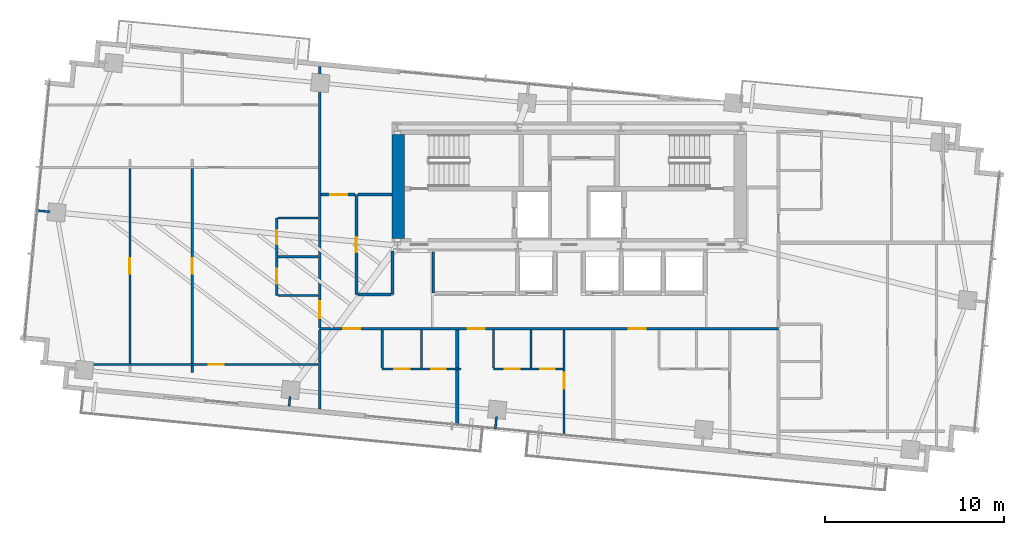
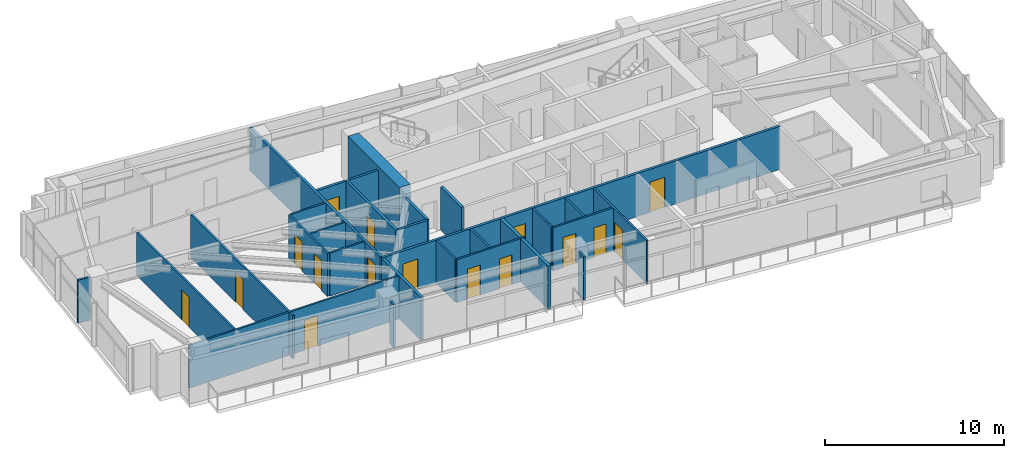
# One storey, part 14 of 19: 30 walls, 16 doors, 16 openings.
"""IFC4 building model written with IfcOpenShell, lengths in metres."""

import ifcopenshell
import ifcopenshell.guid

model = None  # the IFC model being written
_history = None  # IfcOwnerHistory: only IFC2X3 demands one
_inside = {}  # id of a spatial element -> (the spatial element, [elements in it])
_under = {}  # id of a project, library or spatial element -> (it, [spatial elements below it])
_declared = {}  # id of a project -> (the project, [libraries it declares])
_typed = {}  # id of a type object -> (the type object, [elements of that type])
_made_of = {}  # id of a material, layer set ... -> (it, [elements and type objects made of it])


def new_model(schema):
    """Start an empty IFC model of exactly this schema.

    Asked for "IFC4X3", IfcOpenShell would pick the latest addendum, in which some entities
    have other attributes; the version numbers below select the first issue.
    IFC2X3 requires an IfcOwnerHistory on every rooted entity: one is made here for all.
    """
    global model, _history
    if schema == "IFC4X3":
        model = ifcopenshell.file(schema_version=(4, 3, 0, 0))
    else:
        model = ifcopenshell.file(schema=schema)
    _inside.clear()
    _under.clear()
    _declared.clear()
    _typed.clear()
    _made_of.clear()
    _history = None
    if model.schema == "IFC2X3":
        org = make("IfcOrganization", Name="unknown")
        user = make(
            "IfcPersonAndOrganization",
            ThePerson=make("IfcPerson", FamilyName="unknown"),
            TheOrganization=org,
        )
        app = make(
            "IfcApplication",
            ApplicationDeveloper=org,
            Version="unknown",
            ApplicationFullName="unknown",
            ApplicationIdentifier="unknown",
        )
        _history = make(
            "IfcOwnerHistory",
            OwningUser=user,
            OwningApplication=app,
            ChangeAction="ADDED",
            CreationDate=0,
        )
    return model


def make(cls, **values):
    """One entity of the class cls with the attributes given. An attribute that is None is left unset."""
    return model.create_entity(
        cls, **{name: value for name, value in values.items() if value is not None}
    )


def rooted(cls, **values):
    """An entity with a GlobalId (a new one), such as an element, a storey or a relation."""
    return make(cls, GlobalId=ifcopenshell.guid.new(), OwnerHistory=_history, **values)


def si_unit(unit_type, name, prefix=None):
    """IfcSIUnit, for example si_unit("LENGTHUNIT", "METRE", prefix="MILLI")."""
    return make("IfcSIUnit", UnitType=unit_type, Prefix=prefix, Name=name)


def assignment(units):
    """IfcUnitAssignment: the units of a project."""
    return None if units is None else make("IfcUnitAssignment", Units=units)


def point(xyz):
    """IfcCartesianPoint."""
    return None if xyz is None else make("IfcCartesianPoint", Coordinates=xyz)


def direction(xyz):
    """IfcDirection."""
    return None if xyz is None else make("IfcDirection", DirectionRatios=xyz)


def frame(location, z_axis=None, x_axis=None):
    """IfcAxis2Placement3D, a coordinate frame: its origin and axes. An axis left out is left unset."""
    return make(
        "IfcAxis2Placement3D",
        Location=point(location),
        Axis=direction(z_axis),
        RefDirection=direction(x_axis),
    )


def frame_2d(location, x_axis=None):
    """IfcAxis2Placement2D, a coordinate frame in the plane: its origin and x axis."""
    return make(
        "IfcAxis2Placement2D", Location=point(location), RefDirection=direction(x_axis)
    )


def origin():
    """The frame at (0, 0, 0) with its axes left unset."""
    return frame((0.0, 0.0, 0.0))


def place(relative_to, where):
    """IfcLocalPlacement: puts the frame where relative to a parent placement (None: the world)."""
    return make(
        "IfcLocalPlacement", PlacementRelTo=relative_to, RelativePlacement=where
    )


def context(
    kind, dimensions, precision=None, world=None, true_north=None, identifier=None
):
    """IfcGeometricRepresentationContext, for example the 3D "Model" context."""
    return make(
        "IfcGeometricRepresentationContext",
        ContextIdentifier=identifier,
        ContextType=kind,
        CoordinateSpaceDimension=dimensions,
        Precision=precision,
        WorldCoordinateSystem=world,
        TrueNorth=true_north,
    )


def subcontext(parent, identifier, kind, view, scale=None):
    """IfcGeometricRepresentationSubContext, for example "Body" below "Model"."""
    return make(
        "IfcGeometricRepresentationSubContext",
        ContextIdentifier=identifier,
        ContextType=kind,
        ParentContext=parent,
        TargetScale=scale,
        TargetView=view,
    )


def project(units=None, contexts=None):
    """IfcProject with its units and contexts."""
    return rooted(
        "IfcProject",
        Name="project",
        RepresentationContexts=contexts,
        UnitsInContext=assignment(units),
    )


def spatial(cls, under=None, at=None, **own):
    """A site, building, storey or space (cls), placed at a placement, below another one or the project."""
    s = rooted(cls, ObjectPlacement=at, **own)
    if under is not None:
        _under.setdefault(under.id(), (under, []))[1].append(s)
    return s


def profile(cls, at=None, kind="AREA", **sizes):
    """A parametric profile (cls). Its sizes go by their IFC names, for example OverallWidth=200.0."""
    return make(cls, ProfileType=kind, Position=at, **sizes)


def rectangle(**sizes):
    """IfcRectangleProfileDef."""
    return profile("IfcRectangleProfileDef", **sizes)


def extrude(swept, where, along, depth):
    """IfcExtrudedAreaSolid: the profile swept, set in the frame where, extruded along a direction by depth."""
    return make(
        "IfcExtrudedAreaSolid",
        SweptArea=swept,
        Position=where,
        ExtrudedDirection=direction(along),
        Depth=depth,
    )


def shape(context_of_items, identifier, shape_type, items):
    """IfcShapeRepresentation: the items that make up one representation, for example the "Body"."""
    return make(
        "IfcShapeRepresentation",
        ContextOfItems=context_of_items,
        RepresentationIdentifier=identifier,
        RepresentationType=shape_type,
        Items=items,
    )


def source(mapping_origin, context_of_items, identifier, shape_type, items):
    """IfcRepresentationMap: a shape defined once, which mapped items show again and again."""
    return make(
        "IfcRepresentationMap",
        MappingOrigin=mapping_origin,
        MappedRepresentation=shape(context_of_items, identifier, shape_type, items),
    )


def transform(
    local_origin,
    x_axis=None,
    y_axis=None,
    z_axis=None,
    scale=None,
    scale2=None,
    scale3=None,
    uniform=True,
):
    """IfcCartesianTransformationOperator3D, or its non-uniform kind. x_axis, y_axis, z_axis: its Axis1, 2, 3."""
    if uniform:
        return make(
            "IfcCartesianTransformationOperator3D",
            Axis1=direction(x_axis),
            Axis2=direction(y_axis),
            LocalOrigin=point(local_origin),
            Scale=scale,
            Axis3=direction(z_axis),
        )
    return make(
        "IfcCartesianTransformationOperator3DnonUniform",
        Axis1=direction(x_axis),
        Axis2=direction(y_axis),
        LocalOrigin=point(local_origin),
        Scale=scale,
        Axis3=direction(z_axis),
        Scale2=scale2,
        Scale3=scale3,
    )


def mapped(mapping_source, mapping_target):
    """IfcMappedItem: shows the shape of a source again, moved by a transform."""
    return make(
        "IfcMappedItem", MappingSource=mapping_source, MappingTarget=mapping_target
    )


def material(Name=None, Category=None):
    """IfcMaterial."""
    return make("IfcMaterial", Name=Name, Category=Category)


def layer(
    of_material, thickness, ventilated=None, Name=None, Category=None, Priority=None
):
    """IfcMaterialLayer: one layer of a wall or slab, of a material (None: an air gap)."""
    return make(
        "IfcMaterialLayer",
        Material=of_material,
        LayerThickness=thickness,
        IsVentilated=ventilated,
        Name=Name,
        Category=Category,
        Priority=Priority,
    )


def layer_set(layers, Name=None):
    """IfcMaterialLayerSet."""
    return make("IfcMaterialLayerSet", MaterialLayers=layers, LayerSetName=Name)


def made_of(thing, what):
    """Note that an element or type object is made of a material, layer set ...; save() writes the relation."""
    if what is not None:
        _made_of.setdefault(what.id(), (what, []))[1].append(thing)
    return thing


def type_object(cls, material=None, **own):
    """A type object (cls), such as IfcWallType, which elements share."""
    return made_of(rooted(cls, **own), material)


def type_shapes(of_type, sources):
    """Give a type object the sources (RepresentationMaps) that its elements show as mapped items."""
    of_type.RepresentationMaps = sources


def element(
    cls,
    number,
    at=None,
    inside=None,
    cuts=None,
    type_object=None,
    material=None,
    context=None,
    identifier="Body",
    shape_type=None,
    held_by="IfcProductDefinitionShape",
    body=None,
    shapes=None,
    **own,
):
    """One element of the class cls, such as IfcWall. Its Tag is "e" and its number.

    at: its placement. inside: the storey or other place that contains it. cuts: it is an
    opening in that element (IfcRelVoidsElement). A single representation is given by context,
    identifier, shape_type and body (its items); several are given by shapes. held_by: the class
    of the entity that holds the representations. save() writes the other relations.
    """
    e = rooted(cls, Tag="e%d" % number, ObjectPlacement=at, **own)
    if body is not None:
        shapes = [shape(context, identifier, shape_type, body)]
    if shapes is not None:
        e.Representation = make(held_by, Representations=shapes)
    if inside is not None:
        _inside.setdefault(inside.id(), (inside, []))[1].append(e)
    if cuts is not None:
        rooted(
            "IfcRelVoidsElement", RelatingBuildingElement=cuts, RelatedOpeningElement=e
        )
    if type_object is not None:
        _typed.setdefault(type_object.id(), (type_object, []))[1].append(e)
    return made_of(e, material)


def fill(opening, filler):
    """IfcRelFillsElement: the door or window that sits in an opening."""
    return rooted(
        "IfcRelFillsElement",
        RelatingOpeningElement=opening,
        RelatedBuildingElement=filler,
    )


def aggregate(whole, parts):
    """IfcRelAggregates: a whole, such as a stair, and the parts it consists of."""
    return rooted("IfcRelAggregates", RelatingObject=whole, RelatedObjects=parts)


def save(model, path):
    """Write the relations noted so far, then the file.

    IfcRelAggregates (storeys below a building ...), IfcRelContainedInSpatialStructure (elements
    in a storey), IfcRelDefinesByType, IfcRelAssociatesMaterial and IfcRelDeclares: one each for
    every whole, place, type object, material and project.
    """
    for whole, parts in _under.values():
        aggregate(whole, parts)
    for where, things in _inside.values():
        rooted(
            "IfcRelContainedInSpatialStructure",
            RelatedElements=things,
            RelatingStructure=where,
        )
    for kind, things in _typed.values():
        rooted("IfcRelDefinesByType", RelatedObjects=things, RelatingType=kind)
    for what, things in _made_of.values():
        rooted("IfcRelAssociatesMaterial", RelatedObjects=things, RelatingMaterial=what)
    for by, libraries in _declared.values():
        rooted("IfcRelDeclares", RelatingContext=by, RelatedDefinitions=libraries)
    model.write(path)


model = new_model("IFC4")

# Units and contexts
model_context = context("Model", 3, precision=1e-05, world=origin(), true_north=direction((0.0, 1.0)))
body_context = subcontext(model_context, "Body", "Model", "MODEL_VIEW")
ifc_project = project(units=[si_unit("LENGTHUNIT", "METRE"), si_unit("AREAUNIT", "SQUARE_METRE"), si_unit("VOLUMEUNIT", "CUBIC_METRE"), si_unit("PLANEANGLEUNIT", "RADIAN"), si_unit("MASSUNIT", "GRAM", prefix="KILO")], contexts=[model_context])

# Site, building, storey
site_placement = place(None, origin())
site = spatial("IfcSite", under=ifc_project, at=site_placement, CompositionType="ELEMENT")
building_placement = place(site_placement, origin())
building = spatial("IfcBuilding", under=site, at=building_placement, Name="Astriad Promenade Condominiums", CompositionType="ELEMENT")
storey_placement = place(building_placement, frame((0.0, 0.0, 143.800048828125)))
storey = spatial("IfcBuildingStorey", under=building, at=storey_placement, Name="L41", CompositionType="ELEMENT", Elevation=143.800048828125)

# Walls
ifc_material_1 = material(Name="Concrete C60/75", Category="concrete")
ifc_layer_1 = layer(ifc_material_1, 0.699951171875)
ifc_layer_set_1 = layer_set([ifc_layer_1], Name="Concrete C60/75")
wall_type_1 = type_object("IfcWallType", Name="CW-SHEAR-700", PredefinedType="SHEAR", material=ifc_layer_set_1)
wall_1_placement = place(storey_placement, frame((26.449951171875, 17.802001953125, 0.0), z_axis=(0.0, 0.0, 1.0), x_axis=(0.0, 1.0, 0.0)))
element("IfcWall", 1, at=wall_1_placement, inside=storey, type_object=wall_type_1, Name="CW-CORE-W-L41", PredefinedType="SHEAR", context=body_context, shape_type="SweptSolid", body=[
    extrude(rectangle(XDim=5.7958984375, YDim=0.699951171875, at=frame_2d((2.89794921875, 0.0))), origin(), (0.0, 0.0, 1.0), 3.199951171875),
])
ifc_material_2 = material(Name="Fire-Rated Gypsum Partition")
ifc_layer_2 = layer(ifc_material_2, 0.159912109375)
ifc_layer_set_2 = layer_set([ifc_layer_2], Name="Fire-Rated Gypsum Partition")
wall_type_2 = type_object("IfcWallType", Name="WALL-CORR-160", PredefinedType="PARTITIONING", material=ifc_layer_set_2)
wall_2_placement = place(storey_placement, frame((28.39990234375, 14.75, 0.0), z_axis=(0.0, 0.0, 1.0), x_axis=(0.0, 1.0, 0.0)))
element("IfcWall", 2, at=wall_2_placement, inside=storey, type_object=wall_type_2, Name="REC-L-W-L41", PredefinedType="PARTITIONING", context=body_context, shape_type="SweptSolid", body=[
    extrude(rectangle(XDim=2.300048828125, YDim=0.159912109375, at=frame_2d((1.14990234375, 0.0))), origin(), (0.0, 0.0, 1.0), 2.93994140625),
])

# Wall, openings, doors
wall_3_placement = place(storey_placement, frame((22.050048828125, 12.75, 0.0), z_axis=(0.0, 0.0, 1.0), x_axis=(1.0, 0.0, 0.0)))
wall_3 = element("IfcWall", 3, at=wall_3_placement, inside=storey, type_object=wall_type_2, Name="PT-COR-S-L41", PredefinedType="PARTITIONING", context=body_context, shape_type="SweptSolid", body=[
    extrude(rectangle(XDim=25.64990234375, YDim=0.159912109375, at=frame_2d((12.824951171875, 0.0))), origin(), (0.0, 0.0, 1.0), 2.93994140625),
])
opening_1_placement = place(wall_3_placement, frame((1.31201171875, 0.0, 0.0)))
opening_1 = element("IfcOpeningElement", 4, at=opening_1_placement, cuts=wall_3, Name="Opening FD60-APT-095", PredefinedType="OPENING", context=body_context, shape_type="SweptSolid", body=[
    extrude(rectangle(XDim=0.949951171875, YDim=2.06005859375, at=frame_2d((0.47509765625, 1.030029296875))), frame((0.0, 0.08984375, 0.0), z_axis=(0.0, -1.0, 0.0), x_axis=(1.0, 0.0, 0.0)), (0.0, 0.0, 1.0), 0.179931640625),
])
opening_2_placement = place(wall_3_placement, frame((8.281005859375, 0.0, 0.0)))
opening_2 = element("IfcOpeningElement", 5, at=opening_2_placement, cuts=wall_3, Name="Opening FD60-APT-095", PredefinedType="OPENING", context=body_context, shape_type="SweptSolid", body=[
    extrude(rectangle(XDim=0.949951171875, YDim=2.06005859375, at=frame_2d((0.47509765625, 1.030029296875))), frame((0.0, 0.08984375, 0.0), z_axis=(0.0, -1.0, 0.0), x_axis=(1.0, 0.0, 0.0)), (0.0, 0.0, 1.0), 0.179931640625),
])
opening_3_placement = place(wall_3_placement, frame((17.26806640625, 0.0, 0.0)))
opening_3 = element("IfcOpeningElement", 6, at=opening_3_placement, cuts=wall_3, Name="Opening FD60-APT-095", PredefinedType="OPENING", context=body_context, shape_type="SweptSolid", body=[
    extrude(rectangle(XDim=0.949951171875, YDim=2.06005859375, at=frame_2d((0.47509765625, 1.030029296875))), frame((0.0, 0.08984375, 0.0), z_axis=(0.0, -1.0, 0.0), x_axis=(1.0, 0.0, 0.0)), (0.0, 0.0, 1.0), 0.179931640625),
])
ifc_material_3 = material(Name="Solid-Core Acoustic Timber Residence Entry Door", Category="wood")
door_type_1 = type_object("IfcDoorType", Name="FD60-APT-095", OperationType="NOTDEFINED", PredefinedType="DOOR", material=ifc_material_3)
shared_shape_1 = source(origin(), body_context, "Body", "SweptSolid", [
    extrude(rectangle(XDim=0.949951171875, YDim=2.06005859375, at=frame_2d((0.47509765625, 1.030029296875))), frame((0.0, 0.02490234375, 0.0), z_axis=(0.0, -1.0, 0.0), x_axis=(1.0, 0.0, 0.0)), (0.0, 0.0, 1.0), 0.050048828125),
])
type_shapes(door_type_1, [shared_shape_1])
door_1_placement = place(opening_1_placement, origin())
door_1 = element("IfcDoor", 7, at=door_1_placement, inside=storey, type_object=door_type_1, Name="D-ENT-L41-S1", OperationType="SINGLE_SWING_LEFT", OverallHeight=2.06005859375, OverallWidth=0.949951171875, PredefinedType="DOOR", context=body_context, shape_type="MappedRepresentation", body=[
    mapped(shared_shape_1, transform((0.0, 0.0, 0.0), scale=1.0)),
])
fill(opening_1, door_1)
door_2_placement = place(opening_2_placement, origin())
door_2 = element("IfcDoor", 8, at=door_2_placement, inside=storey, type_object=door_type_1, Name="D-ENT-L41-S2", OperationType="SINGLE_SWING_RIGHT", OverallHeight=2.06005859375, OverallWidth=0.949951171875, PredefinedType="DOOR", context=body_context, shape_type="MappedRepresentation", body=[
    mapped(shared_shape_1, transform((0.0, 0.0, 0.0), scale=1.0)),
])
fill(opening_2, door_2)
door_3_placement = place(opening_3_placement, origin())
door_3 = element("IfcDoor", 9, at=door_3_placement, inside=storey, type_object=door_type_1, Name="D-ENT-L41-S3", OperationType="SINGLE_SWING_RIGHT", OverallHeight=2.06005859375, OverallWidth=0.949951171875, PredefinedType="DOOR", context=body_context, shape_type="MappedRepresentation", body=[
    mapped(shared_shape_1, transform((0.0, 0.0, 0.0), scale=1.0)),
])
fill(opening_3, door_3)

# Wall
wall_4_placement = place(storey_placement, frame((22.050048828125, 8.253173828125, 0.0), z_axis=(0.0, 0.0, 1.0), x_axis=(0.0, 1.0, 0.0)))
element("IfcWall", 10, at=wall_4_placement, inside=storey, type_object=wall_type_2, Name="PT-COR-W-L41", PredefinedType="PARTITIONING", context=body_context, shape_type="SweptSolid", body=[
    extrude(rectangle(XDim=4.414794921875, YDim=0.159912109375, at=frame_2d((2.20751953125, 0.0))), origin(), (0.0, 0.0, 1.0), 2.93994140625),
])

# Wall, opening, door
wall_5_placement = place(storey_placement, frame((22.050048828125, 12.83203125, 0.0), z_axis=(0.0, 0.0, 1.0), x_axis=(0.0, 1.0, 0.0)))
wall_5 = element("IfcWall", 11, at=wall_5_placement, inside=storey, type_object=wall_type_2, Name="PT-COR-W-L41-S2", PredefinedType="PARTITIONING", context=body_context, shape_type="SweptSolid", body=[
    extrude(rectangle(XDim=14.585205078125, YDim=0.159912109375, at=frame_2d((7.29248046875, 0.0))), origin(), (0.0, 0.0, 1.0), 2.93994140625),
])
opening_4_placement = place(wall_5_placement, frame((0.492919921875, 0.0, 0.0)))
opening_4 = element("IfcOpeningElement", 12, at=opening_4_placement, cuts=wall_5, Name="Opening FD60-APT-095", PredefinedType="OPENING", context=body_context, shape_type="SweptSolid", body=[
    extrude(rectangle(XDim=0.949951171875, YDim=2.06005859375, at=frame_2d((0.47509765625, 1.030029296875))), frame((0.0, 0.08984375, 0.0), z_axis=(0.0, -1.0, 0.0), x_axis=(1.0, 0.0, 0.0)), (0.0, 0.0, 1.0), 0.179931640625),
])
door_4_placement = place(opening_4_placement, origin())
door_4 = element("IfcDoor", 13, at=door_4_placement, inside=storey, type_object=door_type_1, Name="D-ENT-L41-W1", OperationType="SINGLE_SWING_RIGHT", OverallHeight=2.06005859375, OverallWidth=0.949951171875, PredefinedType="DOOR", context=body_context, shape_type="MappedRepresentation", body=[
    mapped(shared_shape_1, transform((0.0, 0.0, 0.0), scale=1.0)),
])
fill(opening_4, door_4)

wall_6_placement = place(storey_placement, frame((24.10009765625, 14.659912109375, 0.0), z_axis=(0.0, 0.0, 1.0), x_axis=(0.0, 1.0, 0.0)))
wall_6 = element("IfcWall", 14, at=wall_6_placement, inside=storey, type_object=wall_type_2, Name="PT-HK-E-L41", PredefinedType="PARTITIONING", context=body_context, shape_type="SweptSolid", body=[
    extrude(rectangle(XDim=5.590087890625, YDim=0.159912109375, at=frame_2d((2.794921875, 0.0))), origin(), (0.0, 0.0, 1.0), 2.93994140625),
])
opening_5_placement = place(wall_6_placement, frame((2.360107421875, 0.0, 0.0)))
opening_5 = element("IfcOpeningElement", 15, at=opening_5_placement, cuts=wall_6, Name="Opening FD60-ULOW-085", PredefinedType="OPENING", context=body_context, shape_type="SweptSolid", body=[
    extrude(rectangle(XDim=0.85009765625, YDim=2.0, at=frame_2d((0.425048828125, 1.0))), frame((0.0, 0.08984375, 0.0), z_axis=(0.0, -1.0, 0.0), x_axis=(1.0, 0.0, 0.0)), (0.0, 0.0, 1.0), 0.179931640625),
])
ifc_material_4 = material(Name="Solid-Core Low-Headroom Fire Door")
door_type_2 = type_object("IfcDoorType", Name="FD60-ULOW-085", OperationType="NOTDEFINED", PredefinedType="DOOR", material=ifc_material_4)
shared_shape_2 = source(origin(), body_context, "Body", "SweptSolid", [
    extrude(rectangle(XDim=0.85009765625, YDim=2.0, at=frame_2d((0.425048828125, 1.0))), frame((0.0, 0.02490234375, 0.0), z_axis=(0.0, -1.0, 0.0), x_axis=(1.0, 0.0, 0.0)), (0.0, 0.0, 1.0), 0.050048828125),
])
type_shapes(door_type_2, [shared_shape_2])
door_5_placement = place(opening_5_placement, origin())
door_5 = element("IfcDoor", 16, at=door_5_placement, inside=storey, type_object=door_type_2, Name="D-HKA-L41", OperationType="SINGLE_SWING_RIGHT", OverallHeight=2.0, OverallWidth=0.85009765625, PredefinedType="DOOR", context=body_context, shape_type="MappedRepresentation", body=[
    mapped(shared_shape_2, transform((0.0, 0.0, 0.0), scale=1.0)),
])
fill(opening_5, door_5)

wall_7_placement = place(storey_placement, frame((22.132080078125, 20.25, 0.0), z_axis=(0.0, 0.0, 1.0), x_axis=(1.0, 0.0, 0.0)))
wall_7 = element("IfcWall", 17, at=wall_7_placement, inside=storey, type_object=wall_type_2, Name="PT-HK-N-L41", PredefinedType="PARTITIONING", context=body_context, shape_type="SweptSolid", body=[
    extrude(rectangle(XDim=1.885986328125, YDim=0.159912109375, at=frame_2d((0.94287109375, 0.0))), origin(), (0.0, 0.0, 1.0), 2.93994140625),
])
opening_6_placement = place(wall_7_placement, frame((0.508056640625, 0.0, 0.0)))
opening_6 = element("IfcOpeningElement", 18, at=opening_6_placement, cuts=wall_7, Name="Opening FD60-APT-095", PredefinedType="OPENING", context=body_context, shape_type="SweptSolid", body=[
    extrude(rectangle(XDim=0.949951171875, YDim=2.06005859375, at=frame_2d((0.47509765625, 1.030029296875))), frame((0.0, 0.08984375, 0.0), z_axis=(0.0, -1.0, 0.0), x_axis=(1.0, 0.0, 0.0)), (0.0, 0.0, 1.0), 0.179931640625),
])
door_6_placement = place(opening_6_placement, origin())
door_6 = element("IfcDoor", 19, at=door_6_placement, inside=storey, type_object=door_type_1, Name="D-HKB-L41", OperationType="SINGLE_SWING_LEFT", OverallHeight=2.06005859375, OverallWidth=0.949951171875, PredefinedType="DOOR", context=body_context, shape_type="MappedRepresentation", body=[
    mapped(shared_shape_1, transform((0.0, 0.0, 0.0), scale=1.0)),
])
fill(opening_6, door_6)

# Walls
wall_8_placement = place(storey_placement, frame((24.181884765625, 20.25, 0.0), z_axis=(0.0, 0.0, 1.0), x_axis=(1.0, 0.0, 0.0)))
element("IfcWall", 20, at=wall_8_placement, inside=storey, type_object=wall_type_2, Name="PT-HK-N-L41-S2", PredefinedType="PARTITIONING", context=body_context, shape_type="SweptSolid", body=[
    extrude(rectangle(XDim=1.916015625, YDim=0.159912109375, at=frame_2d((0.9580078125, 0.0))), origin(), (0.0, 0.0, 1.0), 2.93994140625),
])
wall_9_placement = place(storey_placement, frame((26.1201171875, 14.659912109375, 0.0), z_axis=(0.0, 0.0, 1.0), x_axis=(0.0, 1.0, 0.0)))
element("IfcWall", 21, at=wall_9_placement, inside=storey, type_object=wall_type_2, Name="PT-WSPUR-W-L41", PredefinedType="PARTITIONING", context=body_context, shape_type="SweptSolid", body=[
    extrude(rectangle(XDim=2.43798828125, YDim=0.159912109375, at=frame_2d((1.218994140625, 0.0))), origin(), (0.0, 0.0, 1.0), 2.93994140625),
])
wall_10_placement = place(storey_placement, frame((24.181884765625, 14.659912109375, 0.0), z_axis=(0.0, 0.0, 1.0), x_axis=(1.0, 0.0, 0.0)))
element("IfcWall", 22, at=wall_10_placement, inside=storey, type_object=wall_type_2, Name="PT-HK-S-L41", PredefinedType="PARTITIONING", context=body_context, shape_type="SweptSolid", body=[
    extrude(rectangle(XDim=1.856201171875, YDim=0.159912109375, at=frame_2d((0.92822265625, 0.0))), origin(), (0.0, 0.0, 1.0), 2.93994140625),
])
ifc_material_5 = material(Name="Acoustic Double-Stud Gypsum Partition")
ifc_layer_3 = layer(ifc_material_5, 0.199951171875)
ifc_layer_set_3 = layer_set([ifc_layer_3], Name="Acoustic Double-Stud Gypsum Partition")
wall_type_3 = type_object("IfcWallType", Name="WALL-DEMISING-200", PredefinedType="PARTITIONING", material=ifc_layer_set_3)
wall_11_placement = place(storey_placement, frame((29.7451171875, 7.3291015625, 0.0), z_axis=(0.0, 0.0, 1.0), x_axis=(0.0, 1.0, 0.0)))
element("IfcWall", 23, at=wall_11_placement, inside=storey, type_object=wall_type_3, Name="PT-DEM-S1-L41", PredefinedType="PARTITIONING", context=body_context, shape_type="SweptSolid", body=[
    extrude(rectangle(XDim=3.10888671875, YDim=0.199951171875, at=frame_2d((1.554443359375, 0.0))), origin(), (0.0, 0.0, 1.0), 2.93994140625),
])
wall_12_placement = place(storey_placement, frame((29.7451171875, 10.56201171875, 0.0), z_axis=(0.0, 0.0, 1.0), x_axis=(0.0, 1.0, 0.0)))
element("IfcWall", 24, at=wall_12_placement, inside=storey, type_object=wall_type_3, Name="PT-DEM-S1-L41-S2", PredefinedType="PARTITIONING", context=body_context, shape_type="SweptSolid", body=[
    extrude(rectangle(XDim=2.10595703125, YDim=0.199951171875, at=frame_2d((1.052978515625, 0.0))), origin(), (0.0, 0.0, 1.0), 2.93994140625),
])

# Wall, openings, doors
ifc_material_6 = material(Name="Acoustic Metal-Stud Gypsum Partition")
ifc_layer_4 = layer(ifc_material_6, 0.1201171875)
ifc_layer_set_4 = layer_set([ifc_layer_4], Name="Acoustic Metal-Stud Gypsum Partition")
wall_type_4 = type_object("IfcWallType", Name="WALL-PART-120", PredefinedType="PARTITIONING", material=ifc_layer_set_4)
wall_13_placement = place(storey_placement, frame((25.544921875, 10.5, 0.0), z_axis=(0.0, 0.0, 1.0), x_axis=(1.0, 0.0, 0.0)))
wall_13 = element("IfcWall", 25, at=wall_13_placement, inside=storey, type_object=wall_type_4, Name="PT-L41-S1-PS", PredefinedType="PARTITIONING", context=body_context, shape_type="SweptSolid", body=[
    extrude(rectangle(XDim=4.400146484375, YDim=0.1201171875, at=frame_2d((2.2001953125, 0.0))), origin(), (0.0, 0.0, 1.0), 2.93994140625),
])
opening_7_placement = place(wall_13_placement, frame((0.675048828125, 0.0, 0.0)))
opening_7 = element("IfcOpeningElement", 26, at=opening_7_placement, cuts=wall_13, Name="Opening D-INT-085", PredefinedType="OPENING", context=body_context, shape_type="SweptSolid", body=[
    extrude(rectangle(XDim=0.85009765625, YDim=2.050048828125, at=frame_2d((0.425048828125, 1.02490234375))), frame((0.0, 0.070068359375, 0.0), z_axis=(0.0, -1.0, 0.0), x_axis=(1.0, 0.0, 0.0)), (0.0, 0.0, 1.0), 0.14013671875),
])
opening_8_placement = place(wall_13_placement, frame((2.75, 0.0, 0.0)))
opening_8 = element("IfcOpeningElement", 27, at=opening_8_placement, cuts=wall_13, Name="Opening D-WET-080", PredefinedType="OPENING", context=body_context, shape_type="SweptSolid", body=[
    extrude(rectangle(XDim=0.800048828125, YDim=2.02001953125, at=frame_2d((0.39990234375, 1.010009765625))), frame((0.0, 0.070068359375, 0.0), z_axis=(0.0, -1.0, 0.0), x_axis=(1.0, 0.0, 0.0)), (0.0, 0.0, 1.0), 0.14013671875),
])
ifc_material_7 = material(Name="Moisture-Resistant Timber Bathroom Door", Category="wood")
door_type_3 = type_object("IfcDoorType", Name="D-WET-080", OperationType="NOTDEFINED", PredefinedType="DOOR", material=ifc_material_7)
shared_shape_3 = source(origin(), body_context, "Body", "SweptSolid", [
    extrude(rectangle(XDim=0.800048828125, YDim=2.02001953125, at=frame_2d((0.39990234375, 1.010009765625))), frame((0.0, 0.02490234375, 0.0), z_axis=(0.0, -1.0, 0.0), x_axis=(1.0, 0.0, 0.0)), (0.0, 0.0, 1.0), 0.050048828125),
])
type_shapes(door_type_3, [shared_shape_3])
door_7_placement = place(opening_8_placement, origin())
door_7 = element("IfcDoor", 28, at=door_7_placement, inside=storey, type_object=door_type_3, Name="D-BTH-L41-S1", OperationType="SINGLE_SWING_LEFT", OverallHeight=2.02001953125, OverallWidth=0.800048828125, PredefinedType="DOOR", context=body_context, shape_type="MappedRepresentation", body=[
    mapped(shared_shape_3, transform((0.0, 0.0, 0.0), scale=1.0)),
])
fill(opening_8, door_7)
ifc_material_8 = material(Name="Painted Solid-Core Timber Room Door", Category="wood")
door_type_4 = type_object("IfcDoorType", Name="D-INT-085", OperationType="NOTDEFINED", PredefinedType="DOOR", material=ifc_material_8)
shared_shape_4 = source(origin(), body_context, "Body", "SweptSolid", [
    extrude(rectangle(XDim=0.85009765625, YDim=2.050048828125, at=frame_2d((0.425048828125, 1.02490234375))), frame((0.0, 0.02490234375, 0.0), z_axis=(0.0, -1.0, 0.0), x_axis=(1.0, 0.0, 0.0)), (0.0, 0.0, 1.0), 0.050048828125),
])
type_shapes(door_type_4, [shared_shape_4])
door_8_placement = place(opening_7_placement, origin())
door_8 = element("IfcDoor", 29, at=door_8_placement, inside=storey, type_object=door_type_4, Name="D-KIT-L41-S1", OperationType="SINGLE_SWING_RIGHT", OverallHeight=2.050048828125, OverallWidth=0.85009765625, PredefinedType="DOOR", context=body_context, shape_type="MappedRepresentation", body=[
    mapped(shared_shape_4, transform((0.0, 0.0, 0.0), scale=1.0)),
])
fill(opening_7, door_8)

# Walls
for number, where, z_axis, x_axis, name in (
    (30, (25.544921875, 10.56201171875, 0.0), (0.0, 0.0, 1.0), (0.0, 1.0, 0.0), "PT-L41-S1-PK"),
    (31, (27.7451171875, 10.56201171875, 0.0), (0.0, 0.0, 1.0), (0.0, 1.0, 0.0), "PT-L41-S1-PB"),
):
    element("IfcWall", number, at=place(storey_placement, frame(where, z_axis=z_axis, x_axis=x_axis)), inside=storey, type_object=wall_type_4, Name=name, PredefinedType="PARTITIONING", context=body_context, shape_type="SweptSolid", body=[
        extrude(rectangle(XDim=2.10595703125, YDim=0.1201171875, at=frame_2d((1.052978515625, 0.0))), origin(), (0.0, 0.0, 1.0), 2.93994140625),
    ])

# Wall, opening, door
wall_14_placement = place(storey_placement, frame((35.716064453125, 6.75439453125, 0.0), z_axis=(0.0, 0.0, 1.0), x_axis=(0.0, 1.0, 0.0)))
wall_14 = element("IfcWall", 32, at=wall_14_placement, inside=storey, type_object=wall_type_4, Name="PT-L41-S2-BD1", PredefinedType="PARTITIONING", context=body_context, shape_type="SweptSolid", body=[
    extrude(rectangle(XDim=5.91357421875, YDim=0.1201171875, at=frame_2d((2.956787109375, 0.0))), origin(), (0.0, 0.0, 1.0), 2.93994140625),
])
opening_9_placement = place(wall_14_placement, frame((2.645751953125, 0.0, 0.0)))
opening_9 = element("IfcOpeningElement", 33, at=opening_9_placement, cuts=wall_14, Name="Opening D-INT-090", PredefinedType="OPENING", context=body_context, shape_type="SweptSolid", body=[
    extrude(rectangle(XDim=0.89990234375, YDim=2.050048828125, at=frame_2d((0.449951171875, 1.02490234375))), frame((0.0, 0.070068359375, 0.0), z_axis=(0.0, -1.0, 0.0), x_axis=(1.0, 0.0, 0.0)), (0.0, 0.0, 1.0), 0.14013671875),
])
ifc_material_9 = material(Name="Painted Solid-Core Timber Bedroom Door", Category="wood")
door_type_5 = type_object("IfcDoorType", Name="D-INT-090", OperationType="NOTDEFINED", PredefinedType="DOOR", material=ifc_material_9)
shared_shape_5 = source(origin(), body_context, "Body", "SweptSolid", [
    extrude(rectangle(XDim=0.89990234375, YDim=2.050048828125, at=frame_2d((0.449951171875, 1.02490234375))), frame((0.0, 0.02490234375, 0.0), z_axis=(0.0, -1.0, 0.0), x_axis=(1.0, 0.0, 0.0)), (0.0, 0.0, 1.0), 0.050048828125),
])
type_shapes(door_type_5, [shared_shape_5])
door_9_placement = place(opening_9_placement, origin())
door_9 = element("IfcDoor", 34, at=door_9_placement, inside=storey, type_object=door_type_5, Name="D-BD1-L41-S2", OperationType="SINGLE_SWING_LEFT", OverallHeight=2.050048828125, OverallWidth=0.89990234375, PredefinedType="DOOR", context=body_context, shape_type="MappedRepresentation", body=[
    mapped(shared_shape_5, transform((0.0, 0.0, 0.0), scale=1.0)),
])
fill(opening_9, door_9)

# Wall, openings, doors
wall_15_placement = place(storey_placement, frame((31.76611328125, 10.5, 0.0), z_axis=(0.0, 0.0, 1.0), x_axis=(1.0, 0.0, 0.0)))
wall_15 = element("IfcWall", 35, at=wall_15_placement, inside=storey, type_object=wall_type_4, Name="PT-L41-S2-PS", PredefinedType="PARTITIONING", context=body_context, shape_type="SweptSolid", body=[
    extrude(rectangle(XDim=3.887939453125, YDim=0.1201171875, at=frame_2d((1.94384765625, 0.0))), origin(), (0.0, 0.0, 1.0), 2.93994140625),
])
opening_10_placement = place(wall_15_placement, frame((0.625, 0.0, 0.0)))
opening_10 = element("IfcOpeningElement", 36, at=opening_10_placement, cuts=wall_15, Name="Opening D-INT-085", PredefinedType="OPENING", context=body_context, shape_type="SweptSolid", body=[
    extrude(rectangle(XDim=0.85009765625, YDim=2.050048828125, at=frame_2d((0.425048828125, 1.02490234375))), frame((0.0, 0.070068359375, 0.0), z_axis=(0.0, -1.0, 0.0), x_axis=(1.0, 0.0, 0.0)), (0.0, 0.0, 1.0), 0.14013671875),
])
opening_11_placement = place(wall_15_placement, frame((2.625, 0.0, 0.0)))
opening_11 = element("IfcOpeningElement", 37, at=opening_11_placement, cuts=wall_15, Name="Opening D-WET-080", PredefinedType="OPENING", context=body_context, shape_type="SweptSolid", body=[
    extrude(rectangle(XDim=0.800048828125, YDim=2.02001953125, at=frame_2d((0.39990234375, 1.010009765625))), frame((0.0, 0.070068359375, 0.0), z_axis=(0.0, -1.0, 0.0), x_axis=(1.0, 0.0, 0.0)), (0.0, 0.0, 1.0), 0.14013671875),
])
door_10_placement = place(opening_11_placement, origin())
door_10 = element("IfcDoor", 38, at=door_10_placement, inside=storey, type_object=door_type_3, Name="D-BTH-L41-S2", OperationType="SINGLE_SWING_LEFT", OverallHeight=2.02001953125, OverallWidth=0.800048828125, PredefinedType="DOOR", context=body_context, shape_type="MappedRepresentation", body=[
    mapped(shared_shape_3, transform((0.0, 0.0, 0.0), scale=1.0)),
])
fill(opening_11, door_10)
door_11_placement = place(opening_10_placement, origin())
door_11 = element("IfcDoor", 39, at=door_11_placement, inside=storey, type_object=door_type_4, Name="D-KIT-L41-S2", OperationType="SINGLE_SWING_RIGHT", OverallHeight=2.050048828125, OverallWidth=0.85009765625, PredefinedType="DOOR", context=body_context, shape_type="MappedRepresentation", body=[
    mapped(shared_shape_4, transform((0.0, 0.0, 0.0), scale=1.0)),
])
fill(opening_10, door_11)

# Walls
for number, where, z_axis, x_axis, name in (
    (40, (33.865966796875, 10.56201171875, 0.0), (0.0, 0.0, 1.0), (0.0, 1.0, 0.0), "PT-L41-S2-PBK"),
    (41, (31.76611328125, 10.56201171875, 0.0), (0.0, 0.0, 1.0), (0.0, 1.0, 0.0), "PT-L41-S2-PKW"),
):
    element("IfcWall", number, at=place(storey_placement, frame(where, z_axis=z_axis, x_axis=x_axis)), inside=storey, type_object=wall_type_4, Name=name, PredefinedType="PARTITIONING", context=body_context, shape_type="SweptSolid", body=[
        extrude(rectangle(XDim=2.10595703125, YDim=0.1201171875, at=frame_2d((1.052978515625, 0.0))), origin(), (0.0, 0.0, 1.0), 2.93994140625),
    ])

# Wall, openings, doors
wall_16_placement = place(storey_placement, frame((19.64990234375, 14.60009765625, 0.0), z_axis=(0.0, 0.0, 1.0), x_axis=(0.0, 1.0, 0.0)))
wall_16 = element("IfcWall", 42, at=wall_16_placement, inside=storey, type_object=wall_type_4, Name="PT-L41-W1-PV", PredefinedType="PARTITIONING", context=body_context, shape_type="SweptSolid", body=[
    extrude(rectangle(XDim=4.349853515625, YDim=0.1201171875, at=frame_2d((2.1748046875, 0.0))), origin(), (0.0, 0.0, 1.0), 2.93994140625),
])
opening_12_placement = place(wall_16_placement, frame((0.6630859375, 0.0, 0.0)))
opening_12 = element("IfcOpeningElement", 43, at=opening_12_placement, cuts=wall_16, Name="Opening D-INT-085", PredefinedType="OPENING", context=body_context, shape_type="SweptSolid", body=[
    extrude(rectangle(XDim=0.85009765625, YDim=2.050048828125, at=frame_2d((0.425048828125, 1.02490234375))), frame((0.0, 0.070068359375, 0.0), z_axis=(0.0, -1.0, 0.0), x_axis=(1.0, 0.0, 0.0)), (0.0, 0.0, 1.0), 0.14013671875),
])
opening_13_placement = place(wall_16_placement, frame((2.862060546875, 0.0, 0.0)))
opening_13 = element("IfcOpeningElement", 44, at=opening_13_placement, cuts=wall_16, Name="Opening D-WET-080", PredefinedType="OPENING", context=body_context, shape_type="SweptSolid", body=[
    extrude(rectangle(XDim=0.800048828125, YDim=2.02001953125, at=frame_2d((0.39990234375, 1.010009765625))), frame((0.0, 0.070068359375, 0.0), z_axis=(0.0, -1.0, 0.0), x_axis=(1.0, 0.0, 0.0)), (0.0, 0.0, 1.0), 0.14013671875),
])
door_12_placement = place(opening_13_placement, origin())
door_12 = element("IfcDoor", 45, at=door_12_placement, inside=storey, type_object=door_type_3, Name="D-BTH-L41-W1", OperationType="SINGLE_SWING_RIGHT", OverallHeight=2.02001953125, OverallWidth=0.800048828125, PredefinedType="DOOR", context=body_context, shape_type="MappedRepresentation", body=[
    mapped(shared_shape_3, transform((0.0, 0.0, 0.0), scale=1.0)),
])
fill(opening_13, door_12)
door_13_placement = place(opening_12_placement, origin())
door_13 = element("IfcDoor", 46, at=door_13_placement, inside=storey, type_object=door_type_4, Name="D-KIT-L41-W1", OperationType="SINGLE_SWING_LEFT", OverallHeight=2.050048828125, OverallWidth=0.85009765625, PredefinedType="DOOR", context=body_context, shape_type="MappedRepresentation", body=[
    mapped(shared_shape_4, transform((0.0, 0.0, 0.0), scale=1.0)),
])
fill(opening_12, door_13)

# Walls
for number, where, z_axis, x_axis, name in (
    (47, (19.7119140625, 16.77490234375, 0.0), (0.0, 0.0, 1.0), (1.0, 0.0, 0.0), "PT-L41-W1-PM"),
    (48, (19.7119140625, 14.60009765625, 0.0), (0.0, 0.0, 1.0), (1.0, 0.0, 0.0), "PT-L41-W1-PS"),
    (49, (19.7119140625, 18.949951171875, 0.0), (0.0, 0.0, 1.0), (1.0, 0.0, 0.0), "PT-L41-W1-PN"),
):
    element("IfcWall", number, at=place(storey_placement, frame(where, z_axis=z_axis, x_axis=x_axis)), inside=storey, type_object=wall_type_4, Name=name, PredefinedType="PARTITIONING", context=body_context, shape_type="SweptSolid", body=[
        extrude(rectangle(XDim=2.256103515625, YDim=0.1201171875, at=frame_2d((1.1279296875, 0.0))), origin(), (0.0, 0.0, 1.0), 2.93994140625),
    ])

# Wall, opening, door
wall_17_placement = place(storey_placement, frame((8.40576171875, 10.7490234375, 0.0), z_axis=(0.0, 0.0, 1.0), x_axis=(1.0, 0.0, 0.0)))
wall_17 = element("IfcWall", 50, at=wall_17_placement, inside=storey, type_object=wall_type_4, Name="PT-L41-W1-WDS2", PredefinedType="PARTITIONING", context=body_context, shape_type="SweptSolid", body=[
    extrude(rectangle(XDim=13.562255859375, YDim=0.1201171875, at=frame_2d((6.78125, 0.0))), origin(), (0.0, 0.0, 1.0), 2.93994140625),
])
opening_14_placement = place(wall_17_placement, frame((7.440185546875, 0.0, 0.0)))
opening_14 = element("IfcOpeningElement", 51, at=opening_14_placement, cuts=wall_17, Name="Opening D-INT-085", PredefinedType="OPENING", context=body_context, shape_type="SweptSolid", body=[
    extrude(rectangle(XDim=0.85009765625, YDim=2.050048828125, at=frame_2d((0.425048828125, 1.02490234375))), frame((0.0, 0.070068359375, 0.0), z_axis=(0.0, -1.0, 0.0), x_axis=(1.0, 0.0, 0.0)), (0.0, 0.0, 1.0), 0.14013671875),
])
door_14_placement = place(opening_14_placement, origin())
door_14 = element("IfcDoor", 52, at=door_14_placement, inside=storey, type_object=door_type_4, Name="D-WDS2-L41-W1", OperationType="SINGLE_SWING_RIGHT", OverallHeight=2.050048828125, OverallWidth=0.85009765625, PredefinedType="DOOR", context=body_context, shape_type="MappedRepresentation", body=[
    mapped(shared_shape_4, transform((0.0, 0.0, 0.0), scale=1.0)),
])
fill(opening_14, door_14)

wall_18_placement = place(storey_placement, frame((11.43701171875, 10.81103515625, 0.0), z_axis=(0.0, 0.0, 1.0), x_axis=(0.0, 1.0, 0.0)))
wall_18 = element("IfcWall", 53, at=wall_18_placement, inside=storey, type_object=wall_type_4, Name="PT-L41-W1-WDV3-S2", PredefinedType="PARTITIONING", context=body_context, shape_type="SweptSolid", body=[
    extrude(rectangle(XDim=10.89306640625, YDim=0.1201171875, at=frame_2d((5.446533203125, 0.0))), origin(), (0.0, 0.0, 1.0), 2.93994140625),
])
opening_15_placement = place(wall_18_placement, frame((5.02099609375, 0.0, 0.0)))
opening_15 = element("IfcOpeningElement", 54, at=opening_15_placement, cuts=wall_18, Name="Opening D-INT-085", PredefinedType="OPENING", context=body_context, shape_type="SweptSolid", body=[
    extrude(rectangle(XDim=0.85009765625, YDim=2.050048828125, at=frame_2d((0.425048828125, 1.02490234375))), frame((0.0, 0.070068359375, 0.0), z_axis=(0.0, -1.0, 0.0), x_axis=(1.0, 0.0, 0.0)), (0.0, 0.0, 1.0), 0.14013671875),
])
door_15_placement = place(opening_15_placement, origin())
door_15 = element("IfcDoor", 55, at=door_15_placement, inside=storey, type_object=door_type_4, Name="D-WDV3-L41-W1", OperationType="SINGLE_SWING_LEFT", OverallHeight=2.050048828125, OverallWidth=0.85009765625, PredefinedType="DOOR", context=body_context, shape_type="MappedRepresentation", body=[
    mapped(shared_shape_4, transform((0.0, 0.0, 0.0), scale=1.0)),
])
fill(opening_15, door_15)

# Wall
wall_19_placement = place(storey_placement, frame((14.9208984375, 10.30908203125, 0.0), z_axis=(0.0, 0.0, 1.0), x_axis=(0.0, 1.0, 0.0)))
element("IfcWall", 56, at=wall_19_placement, inside=storey, type_object=wall_type_4, Name="PT-L41-W1-WDV4", PredefinedType="PARTITIONING", context=body_context, shape_type="SweptSolid", body=[
    extrude(rectangle(XDim=0.3779296875, YDim=0.1201171875, at=frame_2d((0.18896484375, 0.0))), origin(), (0.0, 0.0, 1.0), 2.93994140625),
])

# Wall, opening, door
wall_20_placement = place(storey_placement, frame((14.9208984375, 10.81103515625, 0.0), z_axis=(0.0, 0.0, 1.0), x_axis=(0.0, 1.0, 0.0)))
wall_20 = element("IfcWall", 57, at=wall_20_placement, inside=storey, type_object=wall_type_4, Name="PT-L41-W1-WDV4-S2", PredefinedType="PARTITIONING", context=body_context, shape_type="SweptSolid", body=[
    extrude(rectangle(XDim=10.89306640625, YDim=0.1201171875, at=frame_2d((5.446533203125, 0.0))), origin(), (0.0, 0.0, 1.0), 2.93994140625),
])
opening_16_placement = place(wall_20_placement, frame((5.02099609375, 0.0, 0.0)))
opening_16 = element("IfcOpeningElement", 58, at=opening_16_placement, cuts=wall_20, Name="Opening D-INT-085", PredefinedType="OPENING", context=body_context, shape_type="SweptSolid", body=[
    extrude(rectangle(XDim=0.85009765625, YDim=2.050048828125, at=frame_2d((0.425048828125, 1.02490234375))), frame((0.0, 0.070068359375, 0.0), z_axis=(0.0, -1.0, 0.0), x_axis=(1.0, 0.0, 0.0)), (0.0, 0.0, 1.0), 0.14013671875),
])
door_16_placement = place(opening_16_placement, origin())
door_16 = element("IfcDoor", 59, at=door_16_placement, inside=storey, type_object=door_type_4, Name="D-WDV4-L41-W1", OperationType="SINGLE_SWING_RIGHT", OverallHeight=2.050048828125, OverallWidth=0.85009765625, PredefinedType="DOOR", context=body_context, shape_type="MappedRepresentation", body=[
    mapped(shared_shape_4, transform((0.0, 0.0, 0.0), scale=1.0)),
])
fill(opening_16, door_16)

# Walls
wall_21_placement = place(storey_placement, frame((20.390869140625, 8.953125, 0.0), z_axis=(0.0, 0.0, 1.0), x_axis=(-0.096222656154, -0.995359834654, 0.0)))
element("IfcWall", 60, at=wall_21_placement, inside=storey, type_object=wall_type_4, Name="PT-PIL-L41-PC02-9", PredefinedType="PARTITIONING", context=body_context, shape_type="SweptSolid", body=[
    extrude(rectangle(XDim=0.537841796875, YDim=0.1201171875, at=frame_2d((0.26904296875, 0.0))), origin(), (0.0, 0.0, 1.0), 2.93994140625),
])
wall_22_placement = place(storey_placement, frame((31.9375, 7.84130859375, 0.0), z_axis=(0.0, 0.0, 1.0), x_axis=(-0.095977354523, -0.995383517755, 0.0)))
element("IfcWall", 61, at=wall_22_placement, inside=storey, type_object=wall_type_4, Name="PT-PIL-L41-PC03-10", PredefinedType="PARTITIONING", context=body_context, shape_type="SweptSolid", body=[
    extrude(rectangle(XDim=0.719970703125, YDim=0.1201171875, at=frame_2d((0.35986328125, 0.0))), origin(), (0.0, 0.0, 1.0), 2.93994140625),
])
wall_23_placement = place(storey_placement, frame((6.95947265625, 19.2880859375, 0.0), z_axis=(0.0, 0.0, 1.0), x_axis=(-0.995377786728, 0.096036772582, 0.0)))
element("IfcWall", 62, at=wall_23_placement, inside=storey, type_object=wall_type_4, Name="PT-PIL-L41-PC11-18", PredefinedType="PARTITIONING", context=body_context, shape_type="SweptSolid", body=[
    extrude(rectangle(XDim=0.760009765625, YDim=0.1201171875, at=frame_2d((0.3798828125, 0.0))), origin(), (0.0, 0.0, 1.0), 2.93994140625),
])

save(model, "model.ifc")
